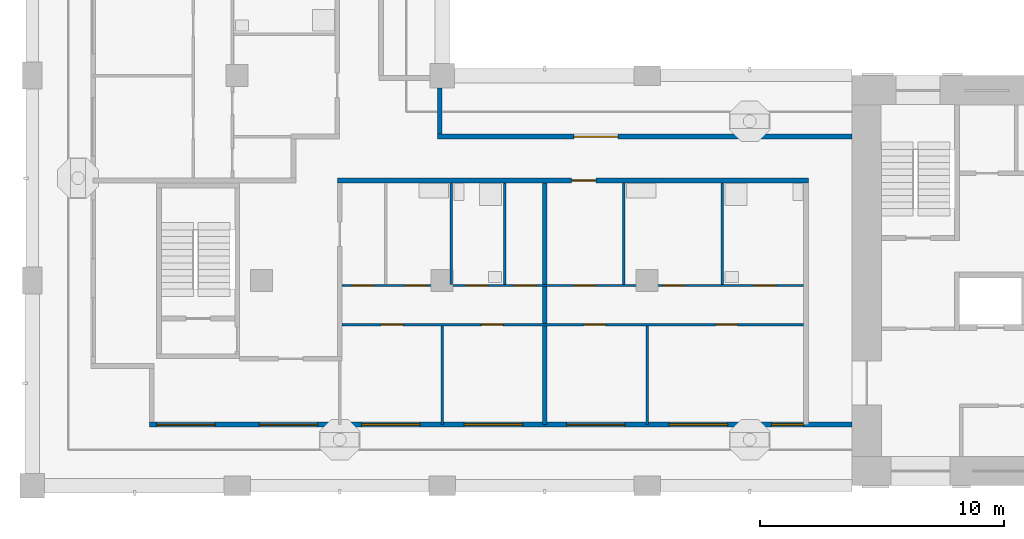
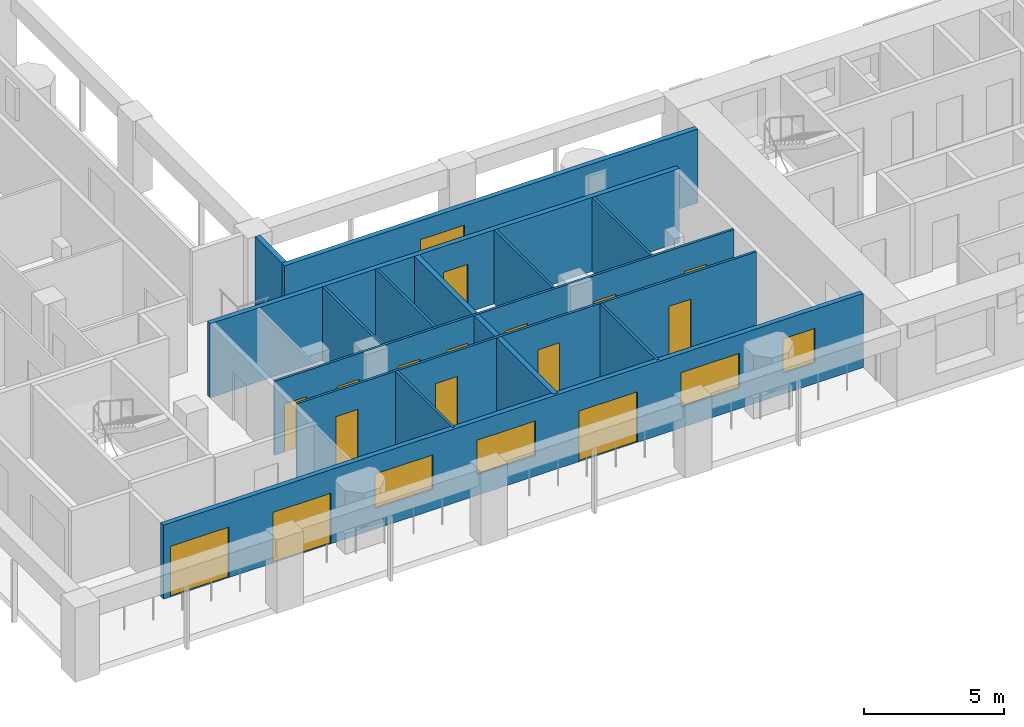
# One storey, part 2 of 11: 16 doors, 13 walls, 4 windows, 20 openings.
"""IFC4 building model written with IfcOpenShell, lengths in metres."""

from ifc_helpers import new_model, si_unit, direction, frame, frame_2d, origin, place, context, subcontext, project, spatial, rectangle, extrude, material, layer, layer_set, type_object, element, fill, save


model = new_model("IFC4")

# Units and contexts
model_context = context("Model", 3, precision=1e-05, world=origin(), true_north=direction((0.0, 1.0)))
body_context = subcontext(model_context, "Body", "Model", "MODEL_VIEW")
ifc_project = project(units=[si_unit("LENGTHUNIT", "METRE"), si_unit("AREAUNIT", "SQUARE_METRE"), si_unit("VOLUMEUNIT", "CUBIC_METRE"), si_unit("PLANEANGLEUNIT", "RADIAN"), si_unit("MASSUNIT", "GRAM", prefix="KILO")], contexts=[model_context])

# Site, building, storey
site_placement = place(None, origin())
site = spatial("IfcSite", under=ifc_project, at=site_placement, CompositionType="ELEMENT")
building_placement = place(site_placement, origin())
building = spatial("IfcBuilding", under=site, at=building_placement, Name="Vermilion Gate Residences", CompositionType="ELEMENT")
storey_placement = place(building_placement, frame((0.0, 0.0, 256.199951171875)))
storey = spatial("IfcBuildingStorey", under=building, at=storey_placement, Name="L67", CompositionType="ELEMENT", Elevation=256.199951171875)

# Wall, openings, doors, windows
ifc_material_1 = material(Name="Insulated steel stud wall with terracotta rainscreen", Category="masonry")
ifc_layer_1 = layer(ifc_material_1, 0.199951171875)
ifc_layer_set_1 = layer_set([ifc_layer_1], Name="EXTERNAL WALL 200 TERRACOTTA RAINSCREEN")
wall_type_1 = type_object("IfcWallType", Name="EXTERNAL WALL 200 TERRACOTTA RAINSCREEN", PredefinedType="SOLIDWALL", material=ifc_layer_set_1)
wall_1_placement = place(storey_placement, frame((13.199951171875, 10.89990234375, 0.0), z_axis=(0.0, 0.0, 1.0), x_axis=(1.0, 0.0, 0.0)))
wall_1 = element("IfcWall", 1, at=wall_1_placement, inside=storey, type_object=wall_type_1, Name="External wall", PredefinedType="SOLIDWALL", context=body_context, shape_type="SweptSolid", body=[
    extrude(rectangle(XDim=28.800048828125, YDim=0.199951171875, at=frame_2d((14.39990234375, 0.0))), origin(), (0.0, 0.0, 1.0), 3.219970703125),
])
opening_1_placement = place(wall_1_placement, frame((0.300048828125, 0.0, 0.0)))
opening_1 = element("IfcOpeningElement", 2, at=opening_1_placement, cuts=wall_1, Name="Opening DE67008", PredefinedType="OPENING", context=body_context, shape_type="SweptSolid", body=[
    extrude(rectangle(XDim=2.39990234375, YDim=2.199951171875, at=frame_2d((1.199951171875, 1.10009765625))), frame((0.0, 0.10986328125, 0.0), z_axis=(0.0, -1.0, 0.0), x_axis=(1.0, 0.0, 0.0)), (0.0, 0.0, 1.0), 0.219970703125),
])
opening_2_placement = place(wall_1_placement, frame((4.5, 0.0, 0.0)))
opening_2 = element("IfcOpeningElement", 3, at=opening_2_placement, cuts=wall_1, Name="Opening DE67009", PredefinedType="OPENING", context=body_context, shape_type="SweptSolid", body=[
    extrude(rectangle(XDim=2.39990234375, YDim=2.199951171875, at=frame_2d((1.199951171875, 1.10009765625))), frame((0.0, 0.10986328125, 0.0), z_axis=(0.0, -1.0, 0.0), x_axis=(1.0, 0.0, 0.0)), (0.0, 0.0, 1.0), 0.219970703125),
])
opening_3_placement = place(wall_1_placement, frame((8.699951171875, 0.0, 0.89990234375)))
opening_3 = element("IfcOpeningElement", 4, at=opening_3_placement, cuts=wall_1, Name="Opening WE67010", PredefinedType="OPENING", context=body_context, shape_type="SweptSolid", body=[
    extrude(rectangle(XDim=2.39990234375, YDim=1.5, at=frame_2d((1.199951171875, 0.75))), frame((0.0, 0.10986328125, 0.0), z_axis=(0.0, -1.0, 0.0), x_axis=(1.0, 0.0, 0.0)), (0.0, 0.0, 1.0), 0.219970703125),
])
opening_4_placement = place(wall_1_placement, frame((12.89990234375, 0.0, 0.89990234375)))
opening_4 = element("IfcOpeningElement", 5, at=opening_4_placement, cuts=wall_1, Name="Opening WE67011", PredefinedType="OPENING", context=body_context, shape_type="SweptSolid", body=[
    extrude(rectangle(XDim=2.39990234375, YDim=1.5, at=frame_2d((1.199951171875, 0.75))), frame((0.0, 0.10986328125, 0.0), z_axis=(0.0, -1.0, 0.0), x_axis=(1.0, 0.0, 0.0)), (0.0, 0.0, 1.0), 0.219970703125),
])
opening_5_placement = place(wall_1_placement, frame((17.10009765625, 0.0, 0.0)))
opening_5 = element("IfcOpeningElement", 6, at=opening_5_placement, cuts=wall_1, Name="Opening DE67012", PredefinedType="OPENING", context=body_context, shape_type="SweptSolid", body=[
    extrude(rectangle(XDim=2.39990234375, YDim=2.199951171875, at=frame_2d((1.199951171875, 1.10009765625))), frame((0.0, 0.10986328125, 0.0), z_axis=(0.0, -1.0, 0.0), x_axis=(1.0, 0.0, 0.0)), (0.0, 0.0, 1.0), 0.219970703125),
])
opening_6_placement = place(wall_1_placement, frame((21.300048828125, 0.0, 0.89990234375)))
opening_6 = element("IfcOpeningElement", 7, at=opening_6_placement, cuts=wall_1, Name="Opening WE67013", PredefinedType="OPENING", context=body_context, shape_type="SweptSolid", body=[
    extrude(rectangle(XDim=2.39990234375, YDim=1.5, at=frame_2d((1.199951171875, 0.75))), frame((0.0, 0.10986328125, 0.0), z_axis=(0.0, -1.0, 0.0), x_axis=(1.0, 0.0, 0.0)), (0.0, 0.0, 1.0), 0.219970703125),
])
opening_7_placement = place(wall_1_placement, frame((25.5, 0.0, 0.89990234375)))
opening_7 = element("IfcOpeningElement", 8, at=opening_7_placement, cuts=wall_1, Name="Opening WE67014", PredefinedType="OPENING", context=body_context, shape_type="SweptSolid", body=[
    extrude(rectangle(XDim=1.300048828125, YDim=1.5, at=frame_2d((0.64990234375, 0.75))), frame((0.0, 0.10986328125, 0.0), z_axis=(0.0, -1.0, 0.0), x_axis=(1.0, 0.0, 0.0)), (0.0, 0.0, 1.0), 0.219970703125),
])
ifc_material_2 = material(Name="Aluminium and clear glass", Category="aluminium")
door_type_1 = type_object("IfcDoorType", Name="SLIDING GLAZED DOOR 2400 X 2200", OperationType="DOUBLE_DOOR_SLIDING", PredefinedType="DOOR", material=ifc_material_2)
door_1_placement = place(opening_1_placement, origin())
door_1 = element("IfcDoor", 9, at=door_1_placement, inside=storey, type_object=door_type_1, Name="Loggia sliding door", OperationType="DOUBLE_DOOR_SLIDING", OverallHeight=2.199951171875, OverallWidth=2.39990234375, PredefinedType="DOOR", context=body_context, shape_type="SweptSolid", body=[
    extrude(rectangle(XDim=2.39990234375, YDim=2.199951171875, at=frame_2d((1.199951171875, 1.10009765625))), frame((0.0, 0.02490234375, 0.0), z_axis=(0.0, -1.0, 0.0), x_axis=(1.0, 0.0, 0.0)), (0.0, 0.0, 1.0), 0.050048828125),
])
fill(opening_1, door_1)
door_2_placement = place(opening_2_placement, origin())
door_2 = element("IfcDoor", 10, at=door_2_placement, inside=storey, type_object=door_type_1, Name="Loggia sliding door", OperationType="DOUBLE_DOOR_SLIDING", OverallHeight=2.199951171875, OverallWidth=2.39990234375, PredefinedType="DOOR", context=body_context, shape_type="SweptSolid", body=[
    extrude(rectangle(XDim=2.39990234375, YDim=2.199951171875, at=frame_2d((1.199951171875, 1.10009765625))), frame((0.0, 0.02490234375, 0.0), z_axis=(0.0, -1.0, 0.0), x_axis=(1.0, 0.0, 0.0)), (0.0, 0.0, 1.0), 0.050048828125),
])
fill(opening_2, door_2)
door_3_placement = place(opening_5_placement, origin())
door_3 = element("IfcDoor", 11, at=door_3_placement, inside=storey, type_object=door_type_1, Name="Loggia sliding door", OperationType="DOUBLE_DOOR_SLIDING", OverallHeight=2.199951171875, OverallWidth=2.39990234375, PredefinedType="DOOR", context=body_context, shape_type="SweptSolid", body=[
    extrude(rectangle(XDim=2.39990234375, YDim=2.199951171875, at=frame_2d((1.199951171875, 1.10009765625))), frame((0.0, 0.02490234375, 0.0), z_axis=(0.0, -1.0, 0.0), x_axis=(1.0, 0.0, 0.0)), (0.0, 0.0, 1.0), 0.050048828125),
])
fill(opening_5, door_3)
ifc_material_3 = material(Name="Aluminium and clear glass", Category="aluminium")
window_type_1 = type_object("IfcWindowType", Name="WINDOW 1300 X 1500", PartitioningType="SINGLE_PANEL", PredefinedType="WINDOW", material=ifc_material_3)
window_1_placement = place(opening_7_placement, origin())
window_1 = element("IfcWindow", 12, at=window_1_placement, inside=storey, type_object=window_type_1, Name="Window", OverallHeight=1.5, OverallWidth=1.300048828125, PartitioningType="SINGLE_PANEL", PredefinedType="WINDOW", context=body_context, shape_type="SweptSolid", body=[
    extrude(rectangle(XDim=1.300048828125, YDim=1.5, at=frame_2d((0.64990234375, 0.75))), frame((0.0, 0.030029296875, 0.0), z_axis=(0.0, -1.0, 0.0), x_axis=(1.0, 0.0, 0.0)), (0.0, 0.0, 1.0), 0.06005859375),
])
fill(opening_7, window_1)
ifc_material_4 = material(Name="Aluminium and clear glass", Category="aluminium")
window_type_2 = type_object("IfcWindowType", Name="WINDOW 2400 X 1500", PartitioningType="SINGLE_PANEL", PredefinedType="WINDOW", material=ifc_material_4)
window_2_placement = place(opening_3_placement, origin())
window_2 = element("IfcWindow", 13, at=window_2_placement, inside=storey, type_object=window_type_2, Name="Window", OverallHeight=1.5, OverallWidth=2.39990234375, PartitioningType="SINGLE_PANEL", PredefinedType="WINDOW", context=body_context, shape_type="SweptSolid", body=[
    extrude(rectangle(XDim=2.39990234375, YDim=1.5, at=frame_2d((1.199951171875, 0.75))), frame((0.0, 0.030029296875, 0.0), z_axis=(0.0, -1.0, 0.0), x_axis=(1.0, 0.0, 0.0)), (0.0, 0.0, 1.0), 0.06005859375),
])
fill(opening_3, window_2)
window_3_placement = place(opening_4_placement, origin())
window_3 = element("IfcWindow", 14, at=window_3_placement, inside=storey, type_object=window_type_2, Name="Window", OverallHeight=1.5, OverallWidth=2.39990234375, PartitioningType="SINGLE_PANEL", PredefinedType="WINDOW", context=body_context, shape_type="SweptSolid", body=[
    extrude(rectangle(XDim=2.39990234375, YDim=1.5, at=frame_2d((1.199951171875, 0.75))), frame((0.0, 0.030029296875, 0.0), z_axis=(0.0, -1.0, 0.0), x_axis=(1.0, 0.0, 0.0)), (0.0, 0.0, 1.0), 0.06005859375),
])
fill(opening_4, window_3)
window_4_placement = place(opening_6_placement, origin())
window_4 = element("IfcWindow", 15, at=window_4_placement, inside=storey, type_object=window_type_2, Name="Window", OverallHeight=1.5, OverallWidth=2.39990234375, PartitioningType="SINGLE_PANEL", PredefinedType="WINDOW", context=body_context, shape_type="SweptSolid", body=[
    extrude(rectangle(XDim=2.39990234375, YDim=1.5, at=frame_2d((1.199951171875, 0.75))), frame((0.0, 0.030029296875, 0.0), z_axis=(0.0, -1.0, 0.0), x_axis=(1.0, 0.0, 0.0)), (0.0, 0.0, 1.0), 0.06005859375),
])
fill(opening_6, window_4)

# Wall, opening, door
wall_2_placement = place(storey_placement, frame((42.0, 22.699951171875, 0.0), z_axis=(0.0, 0.0, 1.0), x_axis=(-1.0, 0.0, 0.0)))
wall_2 = element("IfcWall", 16, at=wall_2_placement, inside=storey, type_object=wall_type_1, Name="External wall", PredefinedType="SOLIDWALL", context=body_context, shape_type="SweptSolid", body=[
    extrude(rectangle(XDim=17.0, YDim=0.199951171875, at=frame_2d((8.5, 0.0))), origin(), (0.0, 0.0, 1.0), 3.219970703125),
])
opening_8_placement = place(wall_2_placement, frame((9.60009765625, 0.0, 0.0)))
opening_8 = element("IfcOpeningElement", 17, at=opening_8_placement, cuts=wall_2, Name="Opening DE67015", PredefinedType="OPENING", context=body_context, shape_type="SweptSolid", body=[
    extrude(rectangle(XDim=1.800048828125, YDim=2.39990234375, at=frame_2d((0.89990234375, 1.199951171875))), frame((0.0, 0.10986328125, 0.0), z_axis=(0.0, -1.0, 0.0), x_axis=(1.0, 0.0, 0.0)), (0.0, 0.0, 1.0), 0.219970703125),
])
ifc_material_5 = material(Name="Aluminium and clear glass", Category="aluminium")
door_type_2 = type_object("IfcDoorType", Name="GLAZED EXTERNAL DOOR 1800 X 2400", OperationType="DOUBLE_DOOR_SINGLE_SWING", PredefinedType="DOOR", material=ifc_material_5)
door_4_placement = place(opening_8_placement, frame((1.800048828125, 0.0, 0.0), z_axis=(0.0, 0.0, 1.0), x_axis=(-1.0, 0.0, 0.0)))
door_4 = element("IfcDoor", 18, at=door_4_placement, inside=storey, type_object=door_type_2, Name="Gallery door", OperationType="DOUBLE_DOOR_SINGLE_SWING", OverallHeight=2.39990234375, OverallWidth=1.800048828125, PredefinedType="DOOR", context=body_context, shape_type="SweptSolid", body=[
    extrude(rectangle(XDim=1.800048828125, YDim=2.39990234375, at=frame_2d((0.89990234375, 1.199951171875))), frame((0.0, 0.02490234375, 0.0), z_axis=(0.0, -1.0, 0.0), x_axis=(1.0, 0.0, 0.0)), (0.0, 0.0, 1.0), 0.050048828125),
])
fill(opening_8, door_4)

# Wall
wall_3_placement = place(storey_placement, frame((25.10009765625, 22.800048828125, 0.0), z_axis=(0.0, 0.0, 1.0), x_axis=(0.0, 1.0, 0.0)))
element("IfcWall", 19, at=wall_3_placement, inside=storey, type_object=wall_type_1, Name="External wall", PredefinedType="SOLIDWALL", context=body_context, shape_type="SweptSolid", body=[
    extrude(rectangle(XDim=1.89990234375, YDim=0.199951171875, at=frame_2d((0.949951171875, 0.0))), origin(), (0.0, 0.0, 1.0), 3.219970703125),
])

# Wall, openings, doors
ifc_material_6 = material(Name="Plasterboard on steel studs", Category="steel")
ifc_layer_2 = layer(ifc_material_6, 0.10009765625)
ifc_layer_set_2 = layer_set([ifc_layer_2], Name="PARTITION 100")
wall_type_2 = type_object("IfcWallType", Name="PARTITION 100", PredefinedType="PARTITIONING", material=ifc_layer_set_2)
wall_4_placement = place(storey_placement, frame((21.10009765625, 15.0, 0.0), z_axis=(0.0, 0.0, 1.0), x_axis=(1.0, 0.0, 0.0)))
wall_4 = element("IfcWall", 20, at=wall_4_placement, inside=storey, type_object=wall_type_2, Name="Partition", PredefinedType="PARTITIONING", context=body_context, shape_type="SweptSolid", body=[
    extrude(rectangle(XDim=18.89990234375, YDim=0.10009765625, at=frame_2d((9.449951171875, 0.0))), origin(), (0.0, 0.0, 1.0), 3.219970703125),
])
opening_9_placement = place(wall_4_placement, frame((1.60009765625, 0.0, 0.0)))
opening_9 = element("IfcOpeningElement", 21, at=opening_9_placement, cuts=wall_4, Name="Opening DA67002", PredefinedType="OPENING", context=body_context, shape_type="SweptSolid", body=[
    extrude(rectangle(XDim=0.89990234375, YDim=2.10009765625, at=frame_2d((0.449951171875, 1.050048828125))), frame((0.0, 0.06005859375, 0.0), z_axis=(0.0, -1.0, 0.0), x_axis=(1.0, 0.0, 0.0)), (0.0, 0.0, 1.0), 0.1201171875),
])
opening_10_placement = place(wall_4_placement, frame((5.699951171875, 0.0, 0.0)))
opening_10 = element("IfcOpeningElement", 22, at=opening_10_placement, cuts=wall_4, Name="Opening DA67003", PredefinedType="OPENING", context=body_context, shape_type="SweptSolid", body=[
    extrude(rectangle(XDim=0.89990234375, YDim=2.10009765625, at=frame_2d((0.449951171875, 1.050048828125))), frame((0.0, 0.06005859375, 0.0), z_axis=(0.0, -1.0, 0.0), x_axis=(1.0, 0.0, 0.0)), (0.0, 0.0, 1.0), 0.1201171875),
])
opening_11_placement = place(wall_4_placement, frame((9.89990234375, 0.0, 0.0)))
opening_11 = element("IfcOpeningElement", 23, at=opening_11_placement, cuts=wall_4, Name="Opening DA67004", PredefinedType="OPENING", context=body_context, shape_type="SweptSolid", body=[
    extrude(rectangle(XDim=0.89990234375, YDim=2.10009765625, at=frame_2d((0.449951171875, 1.050048828125))), frame((0.0, 0.06005859375, 0.0), z_axis=(0.0, -1.0, 0.0), x_axis=(1.0, 0.0, 0.0)), (0.0, 0.0, 1.0), 0.1201171875),
])
opening_12_placement = place(wall_4_placement, frame((15.300048828125, 0.0, 0.0)))
opening_12 = element("IfcOpeningElement", 24, at=opening_12_placement, cuts=wall_4, Name="Opening DA67005", PredefinedType="OPENING", context=body_context, shape_type="SweptSolid", body=[
    extrude(rectangle(XDim=0.89990234375, YDim=2.10009765625, at=frame_2d((0.449951171875, 1.050048828125))), frame((0.0, 0.06005859375, 0.0), z_axis=(0.0, -1.0, 0.0), x_axis=(1.0, 0.0, 0.0)), (0.0, 0.0, 1.0), 0.1201171875),
])
ifc_material_7 = material(Name="Timber", Category="wood")
door_type_3 = type_object("IfcDoorType", Name="INTERIOR DOOR 900 X 2100", OperationType="SINGLE_SWING_LEFT", PredefinedType="DOOR", material=ifc_material_7)
door_5_placement = place(opening_9_placement, frame((0.89990234375, 0.0, 0.0), z_axis=(0.0, 0.0, 1.0), x_axis=(-1.0, 0.0, 0.0)))
door_5 = element("IfcDoor", 25, at=door_5_placement, inside=storey, type_object=door_type_3, Name="Interior door", OperationType="SINGLE_SWING_LEFT", OverallHeight=2.10009765625, OverallWidth=0.89990234375, PredefinedType="DOOR", context=body_context, shape_type="SweptSolid", body=[
    extrude(rectangle(XDim=0.89990234375, YDim=2.10009765625, at=frame_2d((0.449951171875, 1.050048828125))), frame((0.0, 0.02490234375, 0.0), z_axis=(0.0, -1.0, 0.0), x_axis=(1.0, 0.0, 0.0)), (0.0, 0.0, 1.0), 0.050048828125),
])
fill(opening_9, door_5)
door_6_placement = place(opening_10_placement, frame((0.89990234375, 0.0, 0.0), z_axis=(0.0, 0.0, 1.0), x_axis=(-1.0, 0.0, 0.0)))
door_6 = element("IfcDoor", 26, at=door_6_placement, inside=storey, type_object=door_type_3, Name="Interior door", OperationType="SINGLE_SWING_RIGHT", OverallHeight=2.10009765625, OverallWidth=0.89990234375, PredefinedType="DOOR", context=body_context, shape_type="SweptSolid", body=[
    extrude(rectangle(XDim=0.89990234375, YDim=2.10009765625, at=frame_2d((0.449951171875, 1.050048828125))), frame((0.0, 0.02490234375, 0.0), z_axis=(0.0, -1.0, 0.0), x_axis=(1.0, 0.0, 0.0)), (0.0, 0.0, 1.0), 0.050048828125),
])
fill(opening_10, door_6)
door_7_placement = place(opening_11_placement, frame((0.89990234375, 0.0, 0.0), z_axis=(0.0, 0.0, 1.0), x_axis=(-1.0, 0.0, 0.0)))
door_7 = element("IfcDoor", 27, at=door_7_placement, inside=storey, type_object=door_type_3, Name="Interior door", OperationType="SINGLE_SWING_RIGHT", OverallHeight=2.10009765625, OverallWidth=0.89990234375, PredefinedType="DOOR", context=body_context, shape_type="SweptSolid", body=[
    extrude(rectangle(XDim=0.89990234375, YDim=2.10009765625, at=frame_2d((0.449951171875, 1.050048828125))), frame((0.0, 0.02490234375, 0.0), z_axis=(0.0, -1.0, 0.0), x_axis=(1.0, 0.0, 0.0)), (0.0, 0.0, 1.0), 0.050048828125),
])
fill(opening_11, door_7)
door_8_placement = place(opening_12_placement, frame((0.89990234375, 0.0, 0.0), z_axis=(0.0, 0.0, 1.0), x_axis=(-1.0, 0.0, 0.0)))
door_8 = element("IfcDoor", 28, at=door_8_placement, inside=storey, type_object=door_type_3, Name="Interior door", OperationType="SINGLE_SWING_LEFT", OverallHeight=2.10009765625, OverallWidth=0.89990234375, PredefinedType="DOOR", context=body_context, shape_type="SweptSolid", body=[
    extrude(rectangle(XDim=0.89990234375, YDim=2.10009765625, at=frame_2d((0.449951171875, 1.050048828125))), frame((0.0, 0.02490234375, 0.0), z_axis=(0.0, -1.0, 0.0), x_axis=(1.0, 0.0, 0.0)), (0.0, 0.0, 1.0), 0.050048828125),
])
fill(opening_12, door_8)

wall_5_placement = place(storey_placement, frame((21.10009765625, 16.60009765625, 0.0), z_axis=(0.0, 0.0, 1.0), x_axis=(1.0, 0.0, 0.0)))
wall_5 = element("IfcWall", 29, at=wall_5_placement, inside=storey, type_object=wall_type_2, Name="Partition", PredefinedType="PARTITIONING", context=body_context, shape_type="SweptSolid", body=[
    extrude(rectangle(XDim=18.89990234375, YDim=0.10009765625, at=frame_2d((9.449951171875, 0.0))), origin(), (0.0, 0.0, 1.0), 3.219970703125),
])
opening_13_placement = place(wall_5_placement, frame((0.39990234375, 0.0, 0.0)))
opening_13 = element("IfcOpeningElement", 30, at=opening_13_placement, cuts=wall_5, Name="Opening DA67006", PredefinedType="OPENING", context=body_context, shape_type="SweptSolid", body=[
    extrude(rectangle(XDim=0.89990234375, YDim=2.10009765625, at=frame_2d((0.449951171875, 1.050048828125))), frame((0.0, 0.06005859375, 0.0), z_axis=(0.0, -1.0, 0.0), x_axis=(1.0, 0.0, 0.0)), (0.0, 0.0, 1.0), 0.1201171875),
])
opening_14_placement = place(wall_5_placement, frame((2.583984375, 0.0, 0.0)))
opening_14 = element("IfcOpeningElement", 31, at=opening_14_placement, cuts=wall_5, Name="Opening DA67007", PredefinedType="OPENING", context=body_context, shape_type="SweptSolid", body=[
    extrude(rectangle(XDim=0.89990234375, YDim=2.10009765625, at=frame_2d((0.449951171875, 1.050048828125))), frame((0.0, 0.06005859375, 0.0), z_axis=(0.0, -1.0, 0.0), x_axis=(1.0, 0.0, 0.0)), (0.0, 0.0, 1.0), 0.1201171875),
])
opening_15_placement = place(wall_5_placement, frame((5.068115234375, 0.0, 0.0)))
opening_15 = element("IfcOpeningElement", 32, at=opening_15_placement, cuts=wall_5, Name="Opening DA67008", PredefinedType="OPENING", context=body_context, shape_type="SweptSolid", body=[
    extrude(rectangle(XDim=0.89990234375, YDim=2.10009765625, at=frame_2d((0.449951171875, 1.050048828125))), frame((0.0, 0.06005859375, 0.0), z_axis=(0.0, -1.0, 0.0), x_axis=(1.0, 0.0, 0.0)), (0.0, 0.0, 1.0), 0.1201171875),
])
opening_16_placement = place(wall_5_placement, frame((7.05810546875, 0.0, 0.0)))
opening_16 = element("IfcOpeningElement", 33, at=opening_16_placement, cuts=wall_5, Name="Opening DA67009", PredefinedType="OPENING", context=body_context, shape_type="SweptSolid", body=[
    extrude(rectangle(XDim=0.89990234375, YDim=2.10009765625, at=frame_2d((0.449951171875, 1.050048828125))), frame((0.0, 0.06005859375, 0.0), z_axis=(0.0, -1.0, 0.0), x_axis=(1.0, 0.0, 0.0)), (0.0, 0.0, 1.0), 0.1201171875),
])
opening_17_placement = place(wall_5_placement, frame((9.5, 0.0, 0.0)))
opening_17 = element("IfcOpeningElement", 34, at=opening_17_placement, cuts=wall_5, Name="Opening DA67010", PredefinedType="OPENING", context=body_context, shape_type="SweptSolid", body=[
    extrude(rectangle(XDim=0.89990234375, YDim=2.10009765625, at=frame_2d((0.449951171875, 1.050048828125))), frame((0.0, 0.06005859375, 0.0), z_axis=(0.0, -1.0, 0.0), x_axis=(1.0, 0.0, 0.0)), (0.0, 0.0, 1.0), 0.1201171875),
])
opening_18_placement = place(wall_5_placement, frame((13.133056640625, 0.0, 0.0)))
opening_18 = element("IfcOpeningElement", 35, at=opening_18_placement, cuts=wall_5, Name="Opening DA67011", PredefinedType="OPENING", context=body_context, shape_type="SweptSolid", body=[
    extrude(rectangle(XDim=0.89990234375, YDim=2.10009765625, at=frame_2d((0.449951171875, 1.050048828125))), frame((0.0, 0.06005859375, 0.0), z_axis=(0.0, -1.0, 0.0), x_axis=(1.0, 0.0, 0.0)), (0.0, 0.0, 1.0), 0.1201171875),
])
opening_19_placement = place(wall_5_placement, frame((16.866943359375, 0.0, 0.0)))
opening_19 = element("IfcOpeningElement", 36, at=opening_19_placement, cuts=wall_5, Name="Opening DA67012", PredefinedType="OPENING", context=body_context, shape_type="SweptSolid", body=[
    extrude(rectangle(XDim=0.89990234375, YDim=2.10009765625, at=frame_2d((0.449951171875, 1.050048828125))), frame((0.0, 0.06005859375, 0.0), z_axis=(0.0, -1.0, 0.0), x_axis=(1.0, 0.0, 0.0)), (0.0, 0.0, 1.0), 0.1201171875),
])
door_9_placement = place(opening_13_placement, origin())
door_9 = element("IfcDoor", 37, at=door_9_placement, inside=storey, type_object=door_type_3, Name="Interior door", OperationType="SINGLE_SWING_LEFT", OverallHeight=2.10009765625, OverallWidth=0.89990234375, PredefinedType="DOOR", context=body_context, shape_type="SweptSolid", body=[
    extrude(rectangle(XDim=0.89990234375, YDim=2.10009765625, at=frame_2d((0.449951171875, 1.050048828125))), frame((0.0, 0.02490234375, 0.0), z_axis=(0.0, -1.0, 0.0), x_axis=(1.0, 0.0, 0.0)), (0.0, 0.0, 1.0), 0.050048828125),
])
fill(opening_13, door_9)
door_10_placement = place(opening_14_placement, origin())
door_10 = element("IfcDoor", 38, at=door_10_placement, inside=storey, type_object=door_type_3, Name="Interior door", OperationType="SINGLE_SWING_RIGHT", OverallHeight=2.10009765625, OverallWidth=0.89990234375, PredefinedType="DOOR", context=body_context, shape_type="SweptSolid", body=[
    extrude(rectangle(XDim=0.89990234375, YDim=2.10009765625, at=frame_2d((0.449951171875, 1.050048828125))), frame((0.0, 0.02490234375, 0.0), z_axis=(0.0, -1.0, 0.0), x_axis=(1.0, 0.0, 0.0)), (0.0, 0.0, 1.0), 0.050048828125),
])
fill(opening_14, door_10)
door_11_placement = place(opening_15_placement, origin())
door_11 = element("IfcDoor", 39, at=door_11_placement, inside=storey, type_object=door_type_3, Name="Interior door", OperationType="SINGLE_SWING_RIGHT", OverallHeight=2.10009765625, OverallWidth=0.89990234375, PredefinedType="DOOR", context=body_context, shape_type="SweptSolid", body=[
    extrude(rectangle(XDim=0.89990234375, YDim=2.10009765625, at=frame_2d((0.449951171875, 1.050048828125))), frame((0.0, 0.02490234375, 0.0), z_axis=(0.0, -1.0, 0.0), x_axis=(1.0, 0.0, 0.0)), (0.0, 0.0, 1.0), 0.050048828125),
])
fill(opening_15, door_11)
door_12_placement = place(opening_16_placement, origin())
door_12 = element("IfcDoor", 40, at=door_12_placement, inside=storey, type_object=door_type_3, Name="Interior door", OperationType="SINGLE_SWING_RIGHT", OverallHeight=2.10009765625, OverallWidth=0.89990234375, PredefinedType="DOOR", context=body_context, shape_type="SweptSolid", body=[
    extrude(rectangle(XDim=0.89990234375, YDim=2.10009765625, at=frame_2d((0.449951171875, 1.050048828125))), frame((0.0, 0.02490234375, 0.0), z_axis=(0.0, -1.0, 0.0), x_axis=(1.0, 0.0, 0.0)), (0.0, 0.0, 1.0), 0.050048828125),
])
fill(opening_16, door_12)
door_13_placement = place(opening_17_placement, origin())
door_13 = element("IfcDoor", 41, at=door_13_placement, inside=storey, type_object=door_type_3, Name="Interior door", OperationType="SINGLE_SWING_RIGHT", OverallHeight=2.10009765625, OverallWidth=0.89990234375, PredefinedType="DOOR", context=body_context, shape_type="SweptSolid", body=[
    extrude(rectangle(XDim=0.89990234375, YDim=2.10009765625, at=frame_2d((0.449951171875, 1.050048828125))), frame((0.0, 0.02490234375, 0.0), z_axis=(0.0, -1.0, 0.0), x_axis=(1.0, 0.0, 0.0)), (0.0, 0.0, 1.0), 0.050048828125),
])
fill(opening_17, door_13)
door_14_placement = place(opening_18_placement, origin())
door_14 = element("IfcDoor", 42, at=door_14_placement, inside=storey, type_object=door_type_3, Name="Interior door", OperationType="SINGLE_SWING_LEFT", OverallHeight=2.10009765625, OverallWidth=0.89990234375, PredefinedType="DOOR", context=body_context, shape_type="SweptSolid", body=[
    extrude(rectangle(XDim=0.89990234375, YDim=2.10009765625, at=frame_2d((0.449951171875, 1.050048828125))), frame((0.0, 0.02490234375, 0.0), z_axis=(0.0, -1.0, 0.0), x_axis=(1.0, 0.0, 0.0)), (0.0, 0.0, 1.0), 0.050048828125),
])
fill(opening_18, door_14)
door_15_placement = place(opening_19_placement, origin())
door_15 = element("IfcDoor", 43, at=door_15_placement, inside=storey, type_object=door_type_3, Name="Interior door", OperationType="SINGLE_SWING_LEFT", OverallHeight=2.10009765625, OverallWidth=0.89990234375, PredefinedType="DOOR", context=body_context, shape_type="SweptSolid", body=[
    extrude(rectangle(XDim=0.89990234375, YDim=2.10009765625, at=frame_2d((0.449951171875, 1.050048828125))), frame((0.0, 0.02490234375, 0.0), z_axis=(0.0, -1.0, 0.0), x_axis=(1.0, 0.0, 0.0)), (0.0, 0.0, 1.0), 0.050048828125),
])
fill(opening_19, door_15)

# Walls
wall_6_placement = place(storey_placement, frame((25.199951171875, 10.89990234375, 0.0), z_axis=(0.0, 0.0, 1.0), x_axis=(0.0, 1.0, 0.0)))
element("IfcWall", 44, at=wall_6_placement, inside=storey, type_object=wall_type_2, Name="Partition", PredefinedType="PARTITIONING", context=body_context, shape_type="SweptSolid", body=[
    extrude(rectangle(XDim=4.050048828125, YDim=0.10009765625, at=frame_2d((2.02490234375, 0.0))), origin(), (0.0, 0.0, 1.0), 3.219970703125),
])
for number, where, z_axis, x_axis, name in (
    (45, (25.568115234375, 16.64990234375, 0.0), (0.0, 0.0, 1.0), (0.0, 1.0, 0.0), "Partition"),
    (46, (27.758056640625, 16.64990234375, 0.0), (0.0, 0.0, 1.0), (0.0, 1.0, 0.0), "Partition"),
    (47, (32.633056640625, 16.64990234375, 0.0), (0.0, 0.0, 1.0), (0.0, 1.0, 0.0), "Partition"),
):
    element("IfcWall", number, at=place(storey_placement, frame(where, z_axis=z_axis, x_axis=x_axis)), inside=storey, type_object=wall_type_2, Name=name, PredefinedType="PARTITIONING", context=body_context, shape_type="SweptSolid", body=[
        extrude(rectangle(XDim=4.150146484375, YDim=0.10009765625, at=frame_2d((2.0751953125, 0.0))), origin(), (0.0, 0.0, 1.0), 3.219970703125),
    ])
wall_7_placement = place(storey_placement, frame((33.60009765625, 10.89990234375, 0.0), z_axis=(0.0, 0.0, 1.0), x_axis=(0.0, 1.0, 0.0)))
element("IfcWall", 48, at=wall_7_placement, inside=storey, type_object=wall_type_2, Name="Partition", PredefinedType="PARTITIONING", context=body_context, shape_type="SweptSolid", body=[
    extrude(rectangle(XDim=4.050048828125, YDim=0.10009765625, at=frame_2d((2.02490234375, 0.0))), origin(), (0.0, 0.0, 1.0), 3.219970703125),
])
wall_8_placement = place(storey_placement, frame((36.6669921875, 16.64990234375, 0.0), z_axis=(0.0, 0.0, 1.0), x_axis=(0.0, 1.0, 0.0)))
element("IfcWall", 49, at=wall_8_placement, inside=storey, type_object=wall_type_2, Name="Partition", PredefinedType="PARTITIONING", context=body_context, shape_type="SweptSolid", body=[
    extrude(rectangle(XDim=4.150146484375, YDim=0.10009765625, at=frame_2d((2.0751953125, 0.0))), origin(), (0.0, 0.0, 1.0), 3.219970703125),
])

# Wall, opening, door
ifc_material_8 = material(Name="Fire-rated plasterboard on steel studs", Category="steel")
ifc_layer_3 = layer(ifc_material_8, 0.199951171875)
ifc_layer_set_3 = layer_set([ifc_layer_3], Name="PARTY WALL 200 EI 120")
wall_type_3 = type_object("IfcWallType", Name="PARTY WALL 200 EI 120", PredefinedType="PARTITIONING", material=ifc_layer_set_3)
wall_9_placement = place(storey_placement, frame((20.89990234375, 20.89990234375, 0.0), z_axis=(0.0, 0.0, 1.0), x_axis=(1.0, 0.0, 0.0)))
wall_9 = element("IfcWall", 50, at=wall_9_placement, inside=storey, type_object=wall_type_3, Name="Party and corridor wall", PredefinedType="PARTITIONING", context=body_context, shape_type="SweptSolid", body=[
    extrude(rectangle(XDim=19.300048828125, YDim=0.199951171875, at=frame_2d((9.64990234375, 0.0))), origin(), (0.0, 0.0, 1.0), 3.219970703125),
])
opening_20_placement = place(wall_9_placement, frame((9.60009765625, 0.0, 0.0)))
opening_20 = element("IfcOpeningElement", 51, at=opening_20_placement, cuts=wall_9, Name="Opening DA67013", PredefinedType="OPENING", context=body_context, shape_type="SweptSolid", body=[
    extrude(rectangle(XDim=1.0, YDim=2.10009765625, at=frame_2d((0.5, 1.050048828125))), frame((0.0, 0.10986328125, 0.0), z_axis=(0.0, -1.0, 0.0), x_axis=(1.0, 0.0, 0.0)), (0.0, 0.0, 1.0), 0.219970703125),
])
ifc_material_9 = material(Name="Steel", Category="steel")
door_type_4 = type_object("IfcDoorType", Name="ENTRANCE DOOR 1000 X 2100 FD30", OperationType="SINGLE_SWING_LEFT", PredefinedType="DOOR", material=ifc_material_9)
door_16_placement = place(opening_20_placement, frame((1.0, 0.0, 0.0), z_axis=(0.0, 0.0, 1.0), x_axis=(-1.0, 0.0, 0.0)))
door_16 = element("IfcDoor", 52, at=door_16_placement, inside=storey, type_object=door_type_4, Name="Entrance door", OperationType="SINGLE_SWING_RIGHT", OverallHeight=2.10009765625, OverallWidth=1.0, PredefinedType="DOOR", context=body_context, shape_type="SweptSolid", body=[
    extrude(rectangle(XDim=1.0, YDim=2.10009765625, at=frame_2d((0.5, 1.050048828125))), frame((0.0, 0.02490234375, 0.0), z_axis=(0.0, -1.0, 0.0), x_axis=(1.0, 0.0, 0.0)), (0.0, 0.0, 1.0), 0.050048828125),
])
fill(opening_20, door_16)

# Wall
wall_10_placement = place(storey_placement, frame((29.39990234375, 10.89990234375, 0.0), z_axis=(0.0, 0.0, 1.0), x_axis=(0.0, 1.0, 0.0)))
element("IfcWall", 53, at=wall_10_placement, inside=storey, type_object=wall_type_3, Name="Party and corridor wall", PredefinedType="PARTITIONING", context=body_context, shape_type="SweptSolid", body=[
    extrude(rectangle(XDim=9.900146484375, YDim=0.199951171875, at=frame_2d((4.9501953125, 0.0))), origin(), (0.0, 0.0, 1.0), 3.219970703125),
])

save(model, "model.ifc")
